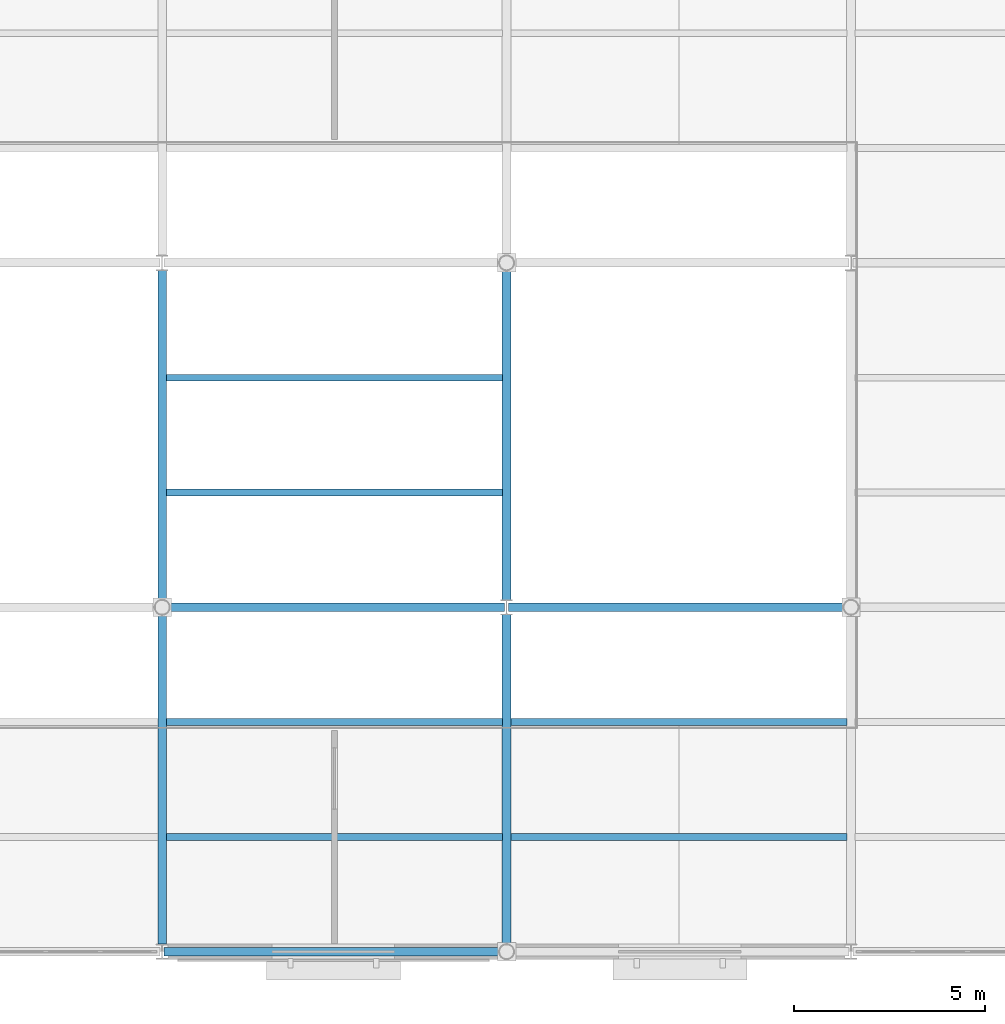
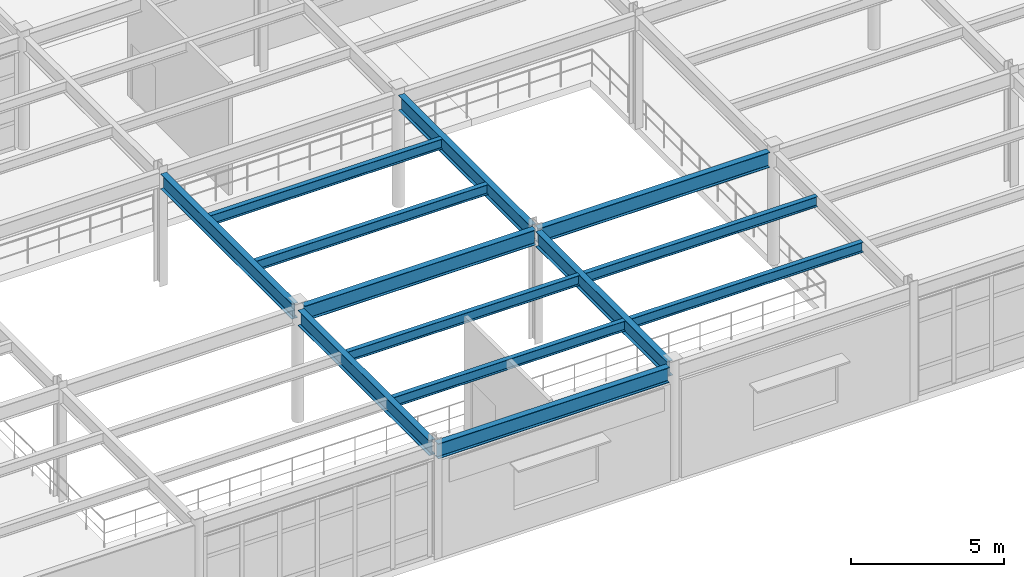
# One storey, part 24 of 86: 13 beams.
"""IFC4 building model written with IfcOpenShell, lengths in metres."""

from ifc_helpers import new_model, si_unit, direction, frame, origin, origin_2d, place, context, subcontext, project, spatial, i_section, extrude, material, material_profile, profile_set, type_object, element, save


model = new_model("IFC4")

# Units and contexts
model_context = context("Model", 3, precision=1e-05, world=origin(), true_north=direction((0.0, 1.0)))
body_context = subcontext(model_context, "Body", "Model", "MODEL_VIEW")
ifc_project = project(units=[si_unit("LENGTHUNIT", "METRE"), si_unit("AREAUNIT", "SQUARE_METRE"), si_unit("VOLUMEUNIT", "CUBIC_METRE"), si_unit("PLANEANGLEUNIT", "RADIAN"), si_unit("MASSUNIT", "GRAM", prefix="KILO")], contexts=[model_context])

# Site, building, storey
site_placement = place(None, origin())
site = spatial("IfcSite", under=ifc_project, at=site_placement, CompositionType="ELEMENT")
building_placement = place(site_placement, origin())
building = spatial("IfcBuilding", under=site, at=building_placement, Name="Glasvene Arena", CompositionType="ELEMENT")
storey_placement = place(building_placement, frame((0.0, 0.0, 5.39990234375)))
storey = spatial("IfcBuildingStorey", under=building, at=storey_placement, Name="L01", CompositionType="ELEMENT", Elevation=5.39990234375)

# Beams
ifc_material = material(Name="Steel S355J2", Category="steel")
ifc_material_profile_1 = material_profile(ifc_material, i_section(OverallWidth=0.228271484375, OverallDepth=0.607666015625, WebThickness=0.010986328125, FlangeThickness=0.017333984375, FilletRadius=0.0126953125, at=origin_2d()), Name="UKB 610x229x113")
ifc_profile_set_1 = profile_set([ifc_material_profile_1], Name="Steel S355J2")
beam_type_1 = type_object("IfcBeamType", Name="BM-GIRD-610", PredefinedType="BEAM", material=ifc_profile_set_1)
for number, where, z_axis, x_axis, name in (
    (1, (18.050048828125, 0.0, 4.21630859375), (1.0, 0.0, 0.0), (0.0, 1.0, 0.0), "Primary X girder L01-0524"),
    (2, (18.1982421875, 9.0, 4.21630859375), (1.0, 0.0, 0.0), (0.0, 1.0, 0.0), "Primary X girder L01-0530"),
    (3, (27.050048828125, 9.0, 4.21630859375), (1.0, 0.0, 0.0), (0.0, 1.0, 0.0), "Primary X girder L01-0531"),
):
    element("IfcBeam", number, at=place(storey_placement, frame(where, z_axis=z_axis, x_axis=x_axis)), inside=storey, type_object=beam_type_1, Name=name, PredefinedType="BEAM", context=body_context, shape_type="SweptSolid", body=[
        extrude(i_section(OverallWidth=0.228271484375, OverallDepth=0.607666015625, WebThickness=0.010986328125, FlangeThickness=0.017333984375, FilletRadius=0.0126953125, at=origin_2d()), origin(), (0.0, 0.0, 1.0), 8.751708984375),
    ])
for number, where, z_axis, x_axis, name in (
    (4, (18.0, 0.195068359375, 4.21630859375), (0.0, 1.0, 0.0), (-1.0, 0.0, 0.0), "Primary Y girder L01-0616"),
    (5, (18.0, 9.1982421875, 4.21630859375), (0.0, 1.0, 0.0), (-1.0, 0.0, 0.0), "Primary Y girder L01-0617"),
    (6, (27.0, 0.1982421875, 4.21630859375), (0.0, 1.0, 0.0), (-1.0, 0.0, 0.0), "Primary Y girder L01-0626"),
    (7, (27.0, 9.195068359375, 4.21630859375), (0.0, 1.0, 0.0), (-1.0, 0.0, 0.0), "Primary Y girder L01-0627"),
):
    element("IfcBeam", number, at=place(storey_placement, frame(where, z_axis=z_axis, x_axis=x_axis)), inside=storey, type_object=beam_type_1, Name=name, PredefinedType="BEAM", context=body_context, shape_type="SweptSolid", body=[
        extrude(i_section(OverallWidth=0.228271484375, OverallDepth=0.607666015625, WebThickness=0.010986328125, FlangeThickness=0.017333984375, FilletRadius=0.0126953125, at=origin_2d()), origin(), (0.0, 0.0, 1.0), 8.606689453125),
    ])
ifc_material_profile_2 = material_profile(ifc_material, i_section(OverallWidth=0.177978515625, OverallDepth=0.406494140625, WebThickness=0.0078125, FlangeThickness=0.0126953125, FilletRadius=0.01025390625, at=origin_2d()), Name="UKB 406x178x60")
ifc_profile_set_2 = profile_set([ifc_material_profile_2], Name="Steel S355J2")
beam_type_2 = type_object("IfcBeamType", Name="BM-JOIST-406", PredefinedType="JOIST", material=ifc_profile_set_2)
for number, where, z_axis, x_axis, name in (
    (8, (18.110107421875, 3.0, 4.31689453125), (1.0, 0.0, 0.0), (0.0, 1.0, 0.0), "Composite floor joist L01-0697"),
    (9, (18.110107421875, 6.0, 4.31689453125), (1.0, 0.0, 0.0), (0.0, 1.0, 0.0), "Composite floor joist L01-0698"),
    (10, (18.110107421875, 12.0, 4.31689453125), (1.0, 0.0, 0.0), (0.0, 1.0, 0.0), "Composite floor joist L01-0699"),
    (11, (18.110107421875, 15.0, 4.31689453125), (1.0, 0.0, 0.0), (0.0, 1.0, 0.0), "Composite floor joist L01-0700"),
    (12, (27.110107421875, 3.0, 4.31689453125), (1.0, 0.0, 0.0), (0.0, 1.0, 0.0), "Composite floor joist L01-0713"),
    (13, (27.110107421875, 6.0, 4.31689453125), (1.0, 0.0, 0.0), (0.0, 1.0, 0.0), "Composite floor joist L01-0714"),
):
    element("IfcBeam", number, at=place(storey_placement, frame(where, z_axis=z_axis, x_axis=x_axis)), inside=storey, type_object=beam_type_2, Name=name, PredefinedType="JOIST", context=body_context, shape_type="SweptSolid", body=[
        extrude(i_section(OverallWidth=0.177978515625, OverallDepth=0.406494140625, WebThickness=0.0078125, FlangeThickness=0.0126953125, FilletRadius=0.01025390625, at=origin_2d()), origin(), (0.0, 0.0, 1.0), 8.77978515625),
    ])

save(model, "model.ifc")
